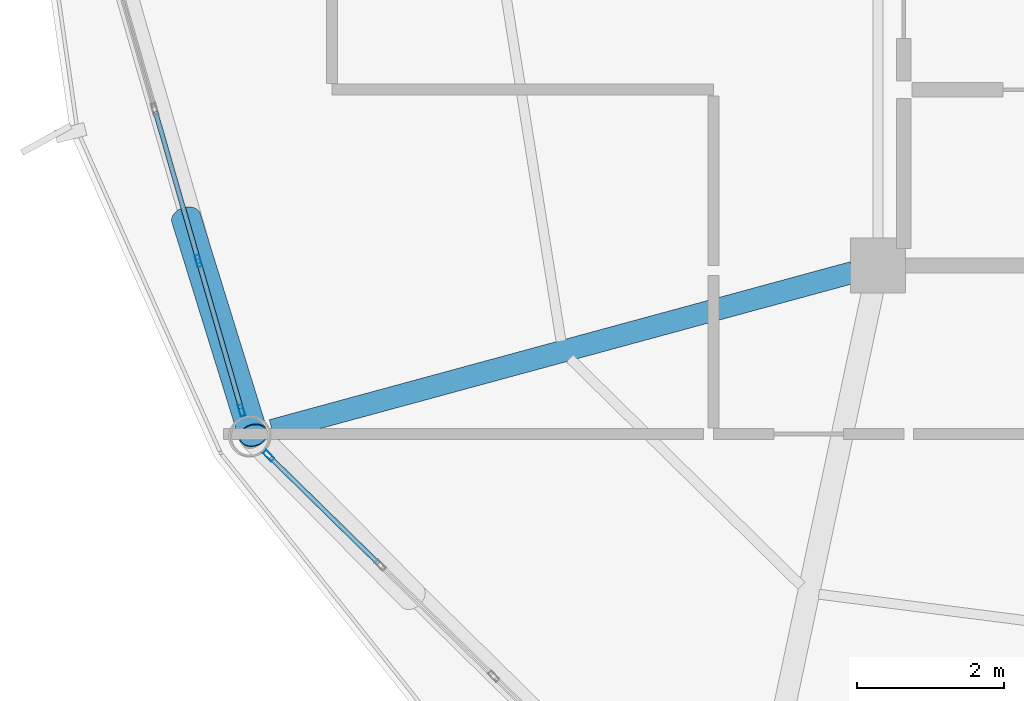
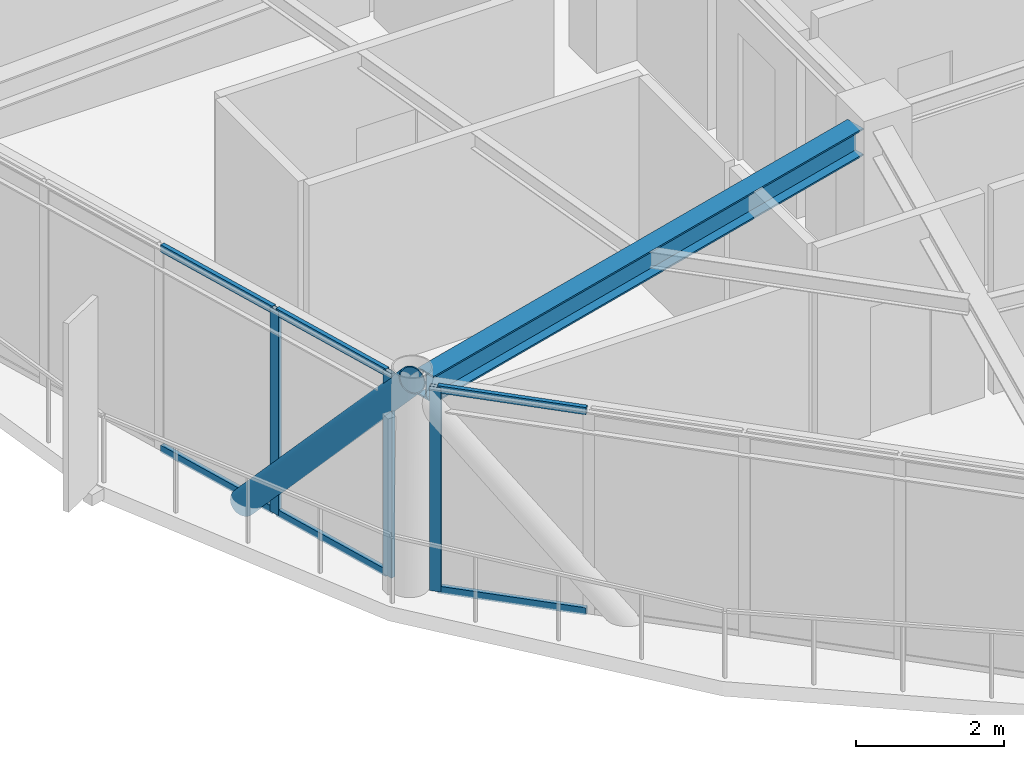
# One storey, part 4 of 26: 10 members, 1 beam, 2 elements without a shape of their own.
"""IFC4 building model written with IfcOpenShell, lengths in metres."""

from ifc_helpers import new_model, si_unit, direction, frame, origin, origin_2d, place, context, subcontext, project, spatial, hollow_rectangle, hollow_circle, i_section, extrude, material, layer, layer_set, material_profile, profile_set, type_object, element, aggregate, save


model = new_model("IFC4")

# Units and contexts
model_context = context("Model", 3, precision=1e-05, world=origin(), true_north=direction((0.0, 1.0)))
body_context = subcontext(model_context, "Body", "Model", "MODEL_VIEW")
ifc_project = project(units=[si_unit("LENGTHUNIT", "METRE"), si_unit("AREAUNIT", "SQUARE_METRE"), si_unit("VOLUMEUNIT", "CUBIC_METRE"), si_unit("PLANEANGLEUNIT", "RADIAN"), si_unit("MASSUNIT", "GRAM", prefix="KILO")], contexts=[model_context])

# Site, building, storey
site_placement = place(None, origin())
site = spatial("IfcSite", under=ifc_project, at=site_placement, CompositionType="ELEMENT")
building_placement = place(site_placement, origin())
building = spatial("IfcBuilding", under=site, at=building_placement, Name="Varnakorn Sky Granary", CompositionType="ELEMENT")
storey_placement = place(building_placement, frame((0.0, 0.0, 256.199951171875)))
storey = spatial("IfcBuildingStorey", under=building, at=storey_placement, Name="L65", CompositionType="ELEMENT", Elevation=256.199951171875)

# Beam
ifc_material_1 = material(Name="Steel S355JR", Category="steel")
ifc_material_profile_1 = material_profile(ifc_material_1, i_section(OverallWidth=0.300048828125, OverallDepth=0.449951171875, WebThickness=0.013916015625, FlangeThickness=0.02587890625, at=origin_2d()), Name="HE 450 B")
ifc_profile_set_1 = profile_set([ifc_material_profile_1], Name="Steel S355JR")
beam_type = type_object("IfcBeamType", Name="BM-RAD-Z5", PredefinedType="BEAM", material=ifc_profile_set_1)
beam_placement = place(storey_placement, frame((-2.692626953125, -6.693115234375, 3.135009765625), z_axis=(-0.964956976755, -0.262408142045, 0.0), x_axis=(0.262408142045, -0.964956976755, 0.0)))
element("IfcBeam", 1, at=beam_placement, inside=storey, type_object=beam_type, Name="Radial Floor Girder RG08 L65", PredefinedType="BEAM", context=body_context, shape_type="SweptSolid", body=[
    extrude(i_section(OverallWidth=0.300048828125, OverallDepth=0.449951171875, WebThickness=0.013916015625, FlangeThickness=0.02587890625, at=origin_2d()), origin(), (0.0, 0.0, 1.0), 8.21435546875),
])

# Curtain wall, members
ifc_material_2 = material(Name="Anodised Bronze Aluminium Alloy 6063-T6", Category="aluminium")
ifc_layer = layer(ifc_material_2, 0.159912109375, Name="Anodised Bronze Aluminium Alloy 6063-T6")
ifc_layer_set = layer_set([ifc_layer], Name="Anodised Bronze Aluminium Alloy 6063-T6")
curtain_wall_type = type_object("IfcCurtainWallType", Name="CW-OFF-1", PredefinedType="USERDEFINED", material=ifc_layer_set)
curtain_wall_1_placement = place(storey_placement, origin())
curtain_wall_1 = element("IfcCurtainWall", 2, at=curtain_wall_1_placement, inside=storey, type_object=curtain_wall_type, Name="Unitised Curtain Wall CW6 CW-L65-B07", ObjectType="CURTAIN WALL", PredefinedType="USERDEFINED")
ifc_material_profile_2 = material_profile(ifc_material_2, hollow_rectangle(XDim=0.06494140625, YDim=0.159912109375, WallThickness=0.00341796875, at=origin_2d()), Name="ALU MULL 65x160")
ifc_profile_set_2 = profile_set([ifc_material_profile_2], Name="Anodised Bronze Aluminium Alloy 6063-T6")
member_type_1 = type_object("IfcMemberType", Name="CW-OFF-1-MULL", PredefinedType="MULLION", material=ifc_profile_set_2)
member_1_placement = place(storey_placement, frame((-11.036376953125, -8.57763671875, 0.0), z_axis=(0.0, 0.0, 1.0), x_axis=(-0.960845569821, -0.277084447334, 0.0)))
member_1 = element("IfcMember", 3, at=member_1_placement, type_object=member_type_1, Name="CW6 mullion 1", PredefinedType="MULLION", context=body_context, shape_type="SweptSolid", body=[
    extrude(hollow_rectangle(XDim=0.06494140625, YDim=0.159912109375, WallThickness=0.00341796875, at=origin_2d()), origin(), (0.0, 0.0, 1.0), 3.360107421875),
])
member_2_placement = place(storey_placement, frame((-11.62451171875, -6.5380859375, 0.0), z_axis=(0.0, 0.0, 1.0), x_axis=(-0.960845569821, -0.277084447334, 0.0)))
member_2 = element("IfcMember", 4, at=member_2_placement, type_object=member_type_1, Name="CW6 mullion 2", PredefinedType="MULLION", context=body_context, shape_type="SweptSolid", body=[
    extrude(hollow_rectangle(XDim=0.06494140625, YDim=0.159912109375, WallThickness=0.00341796875, at=origin_2d()), origin(), (0.0, 0.0, 1.0), 3.360107421875),
])

# Curtain wall, member
curtain_wall_2_placement = place(storey_placement, origin())
curtain_wall_2 = element("IfcCurtainWall", 5, at=curtain_wall_2_placement, inside=storey, type_object=curtain_wall_type, Name="Unitised Curtain Wall CW6 CW-L65-B08", ObjectType="CURTAIN WALL", PredefinedType="USERDEFINED")
member_3_placement = place(storey_placement, frame((-10.667724609375, -9.195556640625, 0.0), z_axis=(0.0, 0.0, 1.0), x_axis=(-0.700118147913, -0.71402701557, 0.0)))
member_3 = element("IfcMember", 6, at=member_3_placement, type_object=member_type_1, Name="CW6 mullion 5", PredefinedType="MULLION", context=body_context, shape_type="SweptSolid", body=[
    extrude(hollow_rectangle(XDim=0.06494140625, YDim=0.159912109375, WallThickness=0.00341796875, at=origin_2d()), origin(), (0.0, 0.0, 1.0), 3.360107421875),
])

# Member
ifc_material_profile_3 = material_profile(ifc_material_2, hollow_rectangle(XDim=0.06494140625, YDim=0.1201171875, WallThickness=0.00341796875, at=origin_2d()), Name="ALU TRAN 65x120")
ifc_profile_set_3 = profile_set([ifc_material_profile_3], Name="Anodised Bronze Aluminium Alloy 6063-T6")
member_type_2 = type_object("IfcMemberType", Name="CW-OFF-1-TRAN", PredefinedType="USERDEFINED", material=ifc_profile_set_3)
member_4_placement = place(storey_placement, frame((-11.04541015625, -8.54638671875, 0.032470703125), z_axis=(-0.277055324122, 0.960853967768, 0.0), x_axis=(-0.960853967768, -0.277055324122, 0.0)))
member_4 = element("IfcMember", 7, at=member_4_placement, type_object=member_type_2, Name="CW6 transom 1.1", ObjectType="TRANSOM", PredefinedType="USERDEFINED", context=body_context, shape_type="SweptSolid", body=[
    extrude(hollow_rectangle(XDim=0.06494140625, YDim=0.1201171875, WallThickness=0.00341796875, at=origin_2d()), origin(), (0.0, 0.0, 1.0), 2.0576171875),
])

member_5_placement = place(storey_placement, frame((-11.04541015625, -8.54638671875, 3.32763671875), z_axis=(-0.277055324122, 0.960853967768, 0.0), x_axis=(-0.960853967768, -0.277055324122, 0.0)))
member_5 = element("IfcMember", 8, at=member_5_placement, type_object=member_type_2, Name="CW6 transom 1.2", ObjectType="TRANSOM", PredefinedType="USERDEFINED", context=body_context, shape_type="SweptSolid", body=[
    extrude(hollow_rectangle(XDim=0.06494140625, YDim=0.1201171875, WallThickness=0.00341796875, at=origin_2d()), origin(), (0.0, 0.0, 1.0), 2.0576171875),
])

member_6_placement = place(storey_placement, frame((-11.633544921875, -6.5068359375, 0.032470703125), z_axis=(-0.277096357962, 0.960842135007, 0.0), x_axis=(-0.960842135007, -0.277096357962, 0.0)))
member_6 = element("IfcMember", 9, at=member_6_placement, type_object=member_type_2, Name="CW6 transom 2.1", ObjectType="TRANSOM", PredefinedType="USERDEFINED", context=body_context, shape_type="SweptSolid", body=[
    extrude(hollow_rectangle(XDim=0.06494140625, YDim=0.1201171875, WallThickness=0.00341796875, at=origin_2d()), origin(), (0.0, 0.0, 1.0), 2.08984375),
])

member_7_placement = place(storey_placement, frame((-11.633544921875, -6.5068359375, 3.32763671875), z_axis=(-0.277096357962, 0.960842135007, 0.0), x_axis=(-0.960842135007, -0.277096357962, 0.0)))
member_7 = element("IfcMember", 10, at=member_7_placement, type_object=member_type_2, Name="CW6 transom 2.2", ObjectType="TRANSOM", PredefinedType="USERDEFINED", context=body_context, shape_type="SweptSolid", body=[
    extrude(hollow_rectangle(XDim=0.06494140625, YDim=0.1201171875, WallThickness=0.00341796875, at=origin_2d()), origin(), (0.0, 0.0, 1.0), 2.08984375),
])

aggregate(curtain_wall_1, [member_1, member_2, member_4, member_5, member_6, member_7])

member_8_placement = place(storey_placement, frame((-9.167724609375, -10.666259765625, 0.032470703125), z_axis=(-0.714036969685, 0.7001079959, 0.0), x_axis=(-0.7001079959, -0.714036969685, 0.0)))
member_8 = element("IfcMember", 11, at=member_8_placement, type_object=member_type_2, Name="CW6 transom 4.1", ObjectType="TRANSOM", PredefinedType="USERDEFINED", context=body_context, shape_type="SweptSolid", body=[
    extrude(hollow_rectangle(XDim=0.06494140625, YDim=0.1201171875, WallThickness=0.00341796875, at=origin_2d()), origin(), (0.0, 0.0, 1.0), 2.068359375),
])

member_9_placement = place(storey_placement, frame((-9.167724609375, -10.666259765625, 3.32763671875), z_axis=(-0.714036969685, 0.7001079959, 0.0), x_axis=(-0.7001079959, -0.714036969685, 0.0)))
member_9 = element("IfcMember", 12, at=member_9_placement, type_object=member_type_2, Name="CW6 transom 4.2", ObjectType="TRANSOM", PredefinedType="USERDEFINED", context=body_context, shape_type="SweptSolid", body=[
    extrude(hollow_rectangle(XDim=0.06494140625, YDim=0.1201171875, WallThickness=0.00341796875, at=origin_2d()), origin(), (0.0, 0.0, 1.0), 2.068359375),
])

aggregate(curtain_wall_2, [member_3, member_8, member_9])

ifc_material_3 = material(Name="Steel S460M", Category="steel")
ifc_material_profile_4 = material_profile(ifc_material_3, hollow_circle(Radius=0.203125, WallThickness=0.01611328125, at=origin_2d()), Name="CHS 406.4x16")
ifc_profile_set_4 = profile_set([ifc_material_profile_4], Name="Steel S460M")
member_type_3 = type_object("IfcMemberType", Name="MB-DIAG-T4", PredefinedType="BRACE", material=ifc_profile_set_4)
member_10_placement = place(storey_placement, frame((-11.792236328125, -5.956787109375, -0.1298828125), z_axis=(0.196596291847, -0.634348609687, 0.747630750719), x_axis=(0.955179373427, 0.296027641579, 0.0)))
element("IfcMember", 13, at=member_10_placement, inside=storey, type_object=member_type_3, Name="Perimeter CHS Diagrid Brace DG07 L65", PredefinedType="BRACE", context=body_context, shape_type="SweptSolid", body=[
    extrude(hollow_circle(Radius=0.203125, WallThickness=0.01611328125, at=origin_2d()), origin(), (0.0, 0.0, 1.0), 4.66796875),
])

save(model, "model.ifc")
